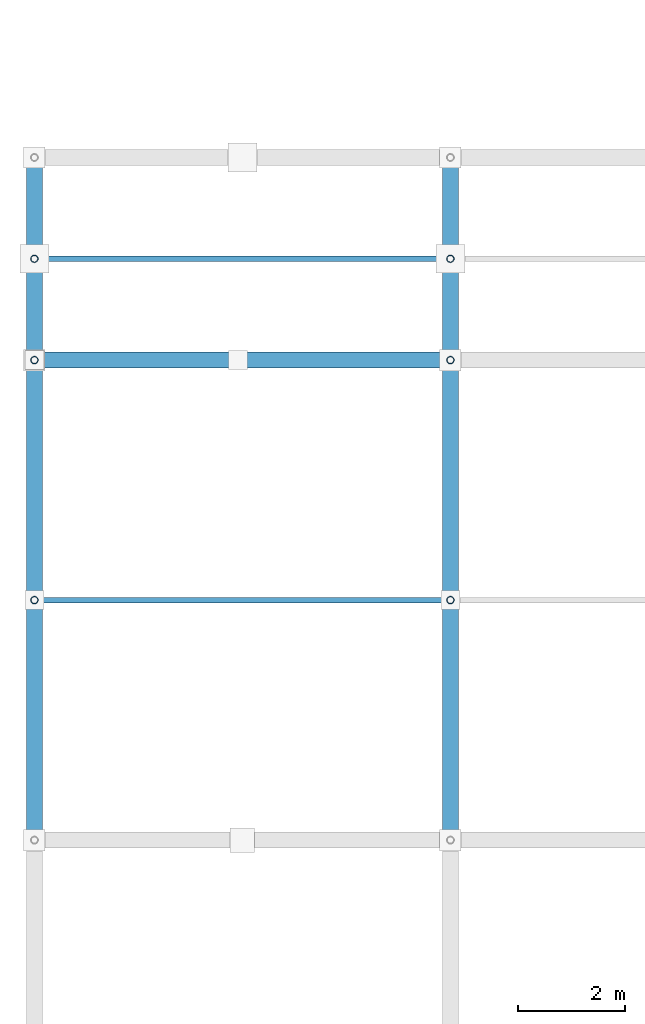
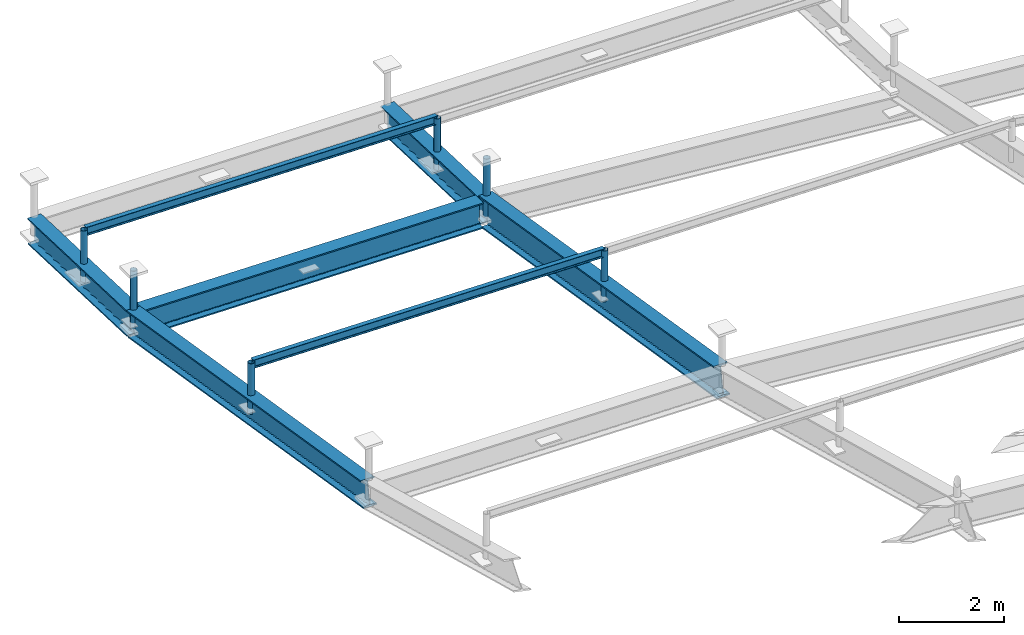
# One storey, part 32 of 80: 8 members, 5 beams.
"""IFC4 building model written with IfcOpenShell, lengths in metres."""

import ifcopenshell
import ifcopenshell.guid

model = None  # the IFC model being written
_history = None  # IfcOwnerHistory: only IFC2X3 demands one
_inside = {}  # id of a spatial element -> (the spatial element, [elements in it])
_under = {}  # id of a project, library or spatial element -> (it, [spatial elements below it])
_declared = {}  # id of a project -> (the project, [libraries it declares])
_typed = {}  # id of a type object -> (the type object, [elements of that type])
_made_of = {}  # id of a material, layer set ... -> (it, [elements and type objects made of it])


def new_model(schema):
    """Start an empty IFC model of exactly this schema.

    Asked for "IFC4X3", IfcOpenShell would pick the latest addendum, in which some entities
    have other attributes; the version numbers below select the first issue.
    IFC2X3 requires an IfcOwnerHistory on every rooted entity: one is made here for all.
    """
    global model, _history
    if schema == "IFC4X3":
        model = ifcopenshell.file(schema_version=(4, 3, 0, 0))
    else:
        model = ifcopenshell.file(schema=schema)
    _inside.clear()
    _under.clear()
    _declared.clear()
    _typed.clear()
    _made_of.clear()
    _history = None
    if model.schema == "IFC2X3":
        org = make("IfcOrganization", Name="unknown")
        user = make(
            "IfcPersonAndOrganization",
            ThePerson=make("IfcPerson", FamilyName="unknown"),
            TheOrganization=org,
        )
        app = make(
            "IfcApplication",
            ApplicationDeveloper=org,
            Version="unknown",
            ApplicationFullName="unknown",
            ApplicationIdentifier="unknown",
        )
        _history = make(
            "IfcOwnerHistory",
            OwningUser=user,
            OwningApplication=app,
            ChangeAction="ADDED",
            CreationDate=0,
        )
    return model


def make(cls, **values):
    """One entity of the class cls with the attributes given. An attribute that is None is left unset."""
    return model.create_entity(
        cls, **{name: value for name, value in values.items() if value is not None}
    )


def rooted(cls, **values):
    """An entity with a GlobalId (a new one), such as an element, a storey or a relation."""
    return make(cls, GlobalId=ifcopenshell.guid.new(), OwnerHistory=_history, **values)


def si_unit(unit_type, name, prefix=None):
    """IfcSIUnit, for example si_unit("LENGTHUNIT", "METRE", prefix="MILLI")."""
    return make("IfcSIUnit", UnitType=unit_type, Prefix=prefix, Name=name)


def assignment(units):
    """IfcUnitAssignment: the units of a project."""
    return None if units is None else make("IfcUnitAssignment", Units=units)


def point(xyz):
    """IfcCartesianPoint."""
    return None if xyz is None else make("IfcCartesianPoint", Coordinates=xyz)


def direction(xyz):
    """IfcDirection."""
    return None if xyz is None else make("IfcDirection", DirectionRatios=xyz)


def frame(location, z_axis=None, x_axis=None):
    """IfcAxis2Placement3D, a coordinate frame: its origin and axes. An axis left out is left unset."""
    return make(
        "IfcAxis2Placement3D",
        Location=point(location),
        Axis=direction(z_axis),
        RefDirection=direction(x_axis),
    )


def frame_2d(location, x_axis=None):
    """IfcAxis2Placement2D, a coordinate frame in the plane: its origin and x axis."""
    return make(
        "IfcAxis2Placement2D", Location=point(location), RefDirection=direction(x_axis)
    )


def origin():
    """The frame at (0, 0, 0) with its axes left unset."""
    return frame((0.0, 0.0, 0.0))


def origin_2d():
    """The frame at (0, 0) in the plane with its x axis left unset."""
    return frame_2d((0.0, 0.0))


def place(relative_to, where):
    """IfcLocalPlacement: puts the frame where relative to a parent placement (None: the world)."""
    return make(
        "IfcLocalPlacement", PlacementRelTo=relative_to, RelativePlacement=where
    )


def context(
    kind, dimensions, precision=None, world=None, true_north=None, identifier=None
):
    """IfcGeometricRepresentationContext, for example the 3D "Model" context."""
    return make(
        "IfcGeometricRepresentationContext",
        ContextIdentifier=identifier,
        ContextType=kind,
        CoordinateSpaceDimension=dimensions,
        Precision=precision,
        WorldCoordinateSystem=world,
        TrueNorth=true_north,
    )


def subcontext(parent, identifier, kind, view, scale=None):
    """IfcGeometricRepresentationSubContext, for example "Body" below "Model"."""
    return make(
        "IfcGeometricRepresentationSubContext",
        ContextIdentifier=identifier,
        ContextType=kind,
        ParentContext=parent,
        TargetScale=scale,
        TargetView=view,
    )


def project(units=None, contexts=None):
    """IfcProject with its units and contexts."""
    return rooted(
        "IfcProject",
        Name="project",
        RepresentationContexts=contexts,
        UnitsInContext=assignment(units),
    )


def spatial(cls, under=None, at=None, **own):
    """A site, building, storey or space (cls), placed at a placement, below another one or the project."""
    s = rooted(cls, ObjectPlacement=at, **own)
    if under is not None:
        _under.setdefault(under.id(), (under, []))[1].append(s)
    return s


def profile(cls, at=None, kind="AREA", **sizes):
    """A parametric profile (cls). Its sizes go by their IFC names, for example OverallWidth=200.0."""
    return make(cls, ProfileType=kind, Position=at, **sizes)


def hollow_circle(**sizes):
    """IfcCircleHollowProfileDef."""
    return profile("IfcCircleHollowProfileDef", **sizes)


def i_section(**sizes):
    """IfcIShapeProfileDef."""
    return profile("IfcIShapeProfileDef", **sizes)


def extrude(swept, where, along, depth):
    """IfcExtrudedAreaSolid: the profile swept, set in the frame where, extruded along a direction by depth."""
    return make(
        "IfcExtrudedAreaSolid",
        SweptArea=swept,
        Position=where,
        ExtrudedDirection=direction(along),
        Depth=depth,
    )


def shape(context_of_items, identifier, shape_type, items):
    """IfcShapeRepresentation: the items that make up one representation, for example the "Body"."""
    return make(
        "IfcShapeRepresentation",
        ContextOfItems=context_of_items,
        RepresentationIdentifier=identifier,
        RepresentationType=shape_type,
        Items=items,
    )


def material(Name=None, Category=None):
    """IfcMaterial."""
    return make("IfcMaterial", Name=Name, Category=Category)


def material_profile(
    of_material, cross_section, Name=None, Category=None, Priority=None
):
    """IfcMaterialProfile: a cross section and its material."""
    return make(
        "IfcMaterialProfile",
        Name=Name,
        Material=of_material,
        Profile=cross_section,
        Priority=Priority,
        Category=Category,
    )


def profile_set(profiles, Name=None, composite=None):
    """IfcMaterialProfileSet."""
    return make(
        "IfcMaterialProfileSet",
        Name=Name,
        MaterialProfiles=profiles,
        CompositeProfile=composite,
    )


def made_of(thing, what):
    """Note that an element or type object is made of a material, layer set ...; save() writes the relation."""
    if what is not None:
        _made_of.setdefault(what.id(), (what, []))[1].append(thing)
    return thing


def type_object(cls, material=None, **own):
    """A type object (cls), such as IfcWallType, which elements share."""
    return made_of(rooted(cls, **own), material)


def element(
    cls,
    number,
    at=None,
    inside=None,
    cuts=None,
    type_object=None,
    material=None,
    context=None,
    identifier="Body",
    shape_type=None,
    held_by="IfcProductDefinitionShape",
    body=None,
    shapes=None,
    **own,
):
    """One element of the class cls, such as IfcWall. Its Tag is "e" and its number.

    at: its placement. inside: the storey or other place that contains it. cuts: it is an
    opening in that element (IfcRelVoidsElement). A single representation is given by context,
    identifier, shape_type and body (its items); several are given by shapes. held_by: the class
    of the entity that holds the representations. save() writes the other relations.
    """
    e = rooted(cls, Tag="e%d" % number, ObjectPlacement=at, **own)
    if body is not None:
        shapes = [shape(context, identifier, shape_type, body)]
    if shapes is not None:
        e.Representation = make(held_by, Representations=shapes)
    if inside is not None:
        _inside.setdefault(inside.id(), (inside, []))[1].append(e)
    if cuts is not None:
        rooted(
            "IfcRelVoidsElement", RelatingBuildingElement=cuts, RelatedOpeningElement=e
        )
    if type_object is not None:
        _typed.setdefault(type_object.id(), (type_object, []))[1].append(e)
    return made_of(e, material)


def aggregate(whole, parts):
    """IfcRelAggregates: a whole, such as a stair, and the parts it consists of."""
    return rooted("IfcRelAggregates", RelatingObject=whole, RelatedObjects=parts)


def save(model, path):
    """Write the relations noted so far, then the file.

    IfcRelAggregates (storeys below a building ...), IfcRelContainedInSpatialStructure (elements
    in a storey), IfcRelDefinesByType, IfcRelAssociatesMaterial and IfcRelDeclares: one each for
    every whole, place, type object, material and project.
    """
    for whole, parts in _under.values():
        aggregate(whole, parts)
    for where, things in _inside.values():
        rooted(
            "IfcRelContainedInSpatialStructure",
            RelatedElements=things,
            RelatingStructure=where,
        )
    for kind, things in _typed.values():
        rooted("IfcRelDefinesByType", RelatedObjects=things, RelatingType=kind)
    for what, things in _made_of.values():
        rooted("IfcRelAssociatesMaterial", RelatedObjects=things, RelatingMaterial=what)
    for by, libraries in _declared.values():
        rooted("IfcRelDeclares", RelatingContext=by, RelatedDefinitions=libraries)
    model.write(path)


model = new_model("IFC4")

# Units and contexts
model_context = context("Model", 3, precision=1e-05, world=origin(), true_north=direction((0.0, 1.0)))
body_context = subcontext(model_context, "Body", "Model", "MODEL_VIEW")
ifc_project = project(units=[si_unit("LENGTHUNIT", "METRE"), si_unit("AREAUNIT", "SQUARE_METRE"), si_unit("VOLUMEUNIT", "CUBIC_METRE"), si_unit("PLANEANGLEUNIT", "RADIAN"), si_unit("MASSUNIT", "GRAM", prefix="KILO")], contexts=[model_context])

# Site, building, storey
site_placement = place(None, origin())
site = spatial("IfcSite", under=ifc_project, at=site_placement, CompositionType="ELEMENT")
building_placement = place(site_placement, origin())
building = spatial("IfcBuilding", under=site, at=building_placement, Name="Barlavento Convention Centre", CompositionType="ELEMENT")
storey_placement = place(building_placement, frame((0.0, 0.0, 29.800048828125)))
storey = spatial("IfcBuildingStorey", under=building, at=storey_placement, Name="RF", CompositionType="ELEMENT", Elevation=29.800048828125)

# Beams
ifc_material_1 = material(Name="Steel S355", Category="steel")
ifc_material_profile_1 = material_profile(ifc_material_1, i_section(OverallWidth=0.300048828125, OverallDepth=0.60009765625, WebThickness=0.015380859375, FlangeThickness=0.030029296875, FilletRadius=0.027099609375, at=origin_2d()), Name="HEB 600")
ifc_profile_set_1 = profile_set([ifc_material_profile_1], Name="Steel S355")
beam_type_1 = type_object("IfcBeamType", Name="STR-BM-CANT-HEB600", PredefinedType="BEAM", material=ifc_profile_set_1)
beam_1_placement = place(storey_placement, frame((-7.794921875, 54.0, -4.6611328125), z_axis=(0.999894962991, 0.0, -0.014493549796), x_axis=(0.0, 1.0, 0.0)))
element("IfcBeam", 1, at=beam_1_placement, inside=storey, type_object=beam_type_1, Name="Congress roof truss space frame chord", PredefinedType="BEAM", context=body_context, shape_type="SweptSolid", body=[
    extrude(i_section(OverallWidth=0.300048828125, OverallDepth=0.60009765625, WebThickness=0.015380859375, FlangeThickness=0.030029296875, FilletRadius=0.027099609375, at=origin_2d()), origin(), (0.0, 0.0, 1.0), 7.630615234375),
])
beam_2_placement = place(storey_placement, frame((0.0, 54.0048828125, -4.774169921875), z_axis=(0.0, 0.999328957614, -0.036628328838), x_axis=(-1.0, 0.0, 0.0)))
element("IfcBeam", 2, at=beam_2_placement, inside=storey, type_object=beam_type_1, Name="Congress roof truss space frame chord", PredefinedType="BEAM", context=body_context, shape_type="SweptSolid", body=[
    extrude(i_section(OverallWidth=0.300048828125, OverallDepth=0.60009765625, WebThickness=0.015380859375, FlangeThickness=0.030029296875, FilletRadius=0.027099609375, at=origin_2d()), origin(), (0.0, 0.0, 1.0), 3.79248046875),
])
beam_3_placement = place(storey_placement, frame((-7.800048828125, 45.0048828125, -3.199951171875), z_axis=(0.0, 0.987048066171, -0.160424795678), x_axis=(-1.0, 0.0, 0.0)))
element("IfcBeam", 3, at=beam_3_placement, inside=storey, type_object=beam_type_1, Name="Congress roof truss space frame chord", PredefinedType="BEAM", context=body_context, shape_type="SweptSolid", body=[
    extrude(i_section(OverallWidth=0.300048828125, OverallDepth=0.60009765625, WebThickness=0.015380859375, FlangeThickness=0.030029296875, FilletRadius=0.027099609375, at=origin_2d()), origin(), (0.0, 0.0, 1.0), 9.108154296875),
])
beam_4_placement = place(storey_placement, frame((-7.800048828125, 54.0048828125, -4.6611328125), z_axis=(0.0, 0.999328957614, -0.036628328838), x_axis=(-1.0, 0.0, 0.0)))
element("IfcBeam", 4, at=beam_4_placement, inside=storey, type_object=beam_type_1, Name="Congress roof truss space frame chord", PredefinedType="BEAM", context=body_context, shape_type="SweptSolid", body=[
    extrude(i_section(OverallWidth=0.300048828125, OverallDepth=0.60009765625, WebThickness=0.015380859375, FlangeThickness=0.030029296875, FilletRadius=0.027099609375, at=origin_2d()), origin(), (0.0, 0.0, 1.0), 3.79248046875),
])
ifc_material_2 = material(Name="Steel S460", Category="steel")
ifc_material_profile_2 = material_profile(ifc_material_2, i_section(OverallWidth=0.300048828125, OverallDepth=0.699951171875, WebThickness=0.01708984375, FlangeThickness=0.031982421875, FilletRadius=0.027099609375, at=origin_2d()), Name="HEB 700")
ifc_profile_set_2 = profile_set([ifc_material_profile_2], Name="Steel S460")
beam_type_2 = type_object("IfcBeamType", Name="STR-BM-TRUSS-TOP-HEB700", PredefinedType="BEAM", material=ifc_profile_set_2)
beam_5_placement = place(storey_placement, frame((0.0, 45.0048828125, -3.313232421875), z_axis=(0.0, 0.987052310252, -0.160398680875), x_axis=(-1.0, 0.0, 0.0)))
element("IfcBeam", 5, at=beam_5_placement, inside=storey, type_object=beam_type_2, Name="Congress roof truss space frame chord", PredefinedType="BEAM", context=body_context, shape_type="SweptSolid", body=[
    extrude(i_section(OverallWidth=0.300048828125, OverallDepth=0.699951171875, WebThickness=0.01708984375, FlangeThickness=0.031982421875, FilletRadius=0.027099609375, at=origin_2d()), origin(), (0.0, 0.0, 1.0), 9.108154296875),
])

# Members
ifc_material_profile_3 = material_profile(ifc_material_1, hollow_circle(Radius=0.06982421875, WallThickness=0.008056640625, at=origin_2d()), Name="CHS 139.7x8.0")
ifc_profile_set_3 = profile_set([ifc_material_profile_3], Name="Steel S355")
member_type_1 = type_object("IfcMemberType", Name="STR-MEM-DIAG-CHS139", PredefinedType="BRACE", material=ifc_profile_set_3)
for number, where, z_axis, x_axis, name in (
    (6, (-7.800048828125, 54.0, -4.81103515625), (0.0, 0.0, 1.0), (1.0, 0.0, 0.0), "Congress space frame vertical node post TD04"),
    (7, (0.0, 54.0, -4.924072265625), (0.0, 0.0, 1.0), (1.0, 0.0, 0.0), "Congress space frame vertical node post TD04"),
):
    element("IfcMember", number, at=place(storey_placement, frame(where, z_axis=z_axis, x_axis=x_axis)), inside=storey, type_object=member_type_1, Name=name, PredefinedType="BRACE", context=body_context, shape_type="SweptSolid", body=[
        extrude(hollow_circle(Radius=0.06982421875, WallThickness=0.008056640625, at=origin_2d()), origin(), (0.0, 0.0, 1.0), 1.369873046875),
    ])
member_1_placement = place(storey_placement, frame((-7.800048828125, 49.5, -4.050537109375), z_axis=(0.0, 0.0, 1.0), x_axis=(1.0, 0.0, 0.0)))
element("IfcMember", 8, at=member_1_placement, inside=storey, type_object=member_type_1, Name="Congress space frame vertical node post TD04", PredefinedType="BRACE", context=body_context, shape_type="SweptSolid", body=[
    extrude(hollow_circle(Radius=0.06982421875, WallThickness=0.008056640625, at=origin_2d()), origin(), (0.0, 0.0, 1.0), 1.17919921875),
])
member_2_placement = place(storey_placement, frame((-7.800048828125, 55.89990234375, -4.8505859375), z_axis=(0.0, 0.0, 1.0), x_axis=(1.0, 0.0, 0.0)))
element("IfcMember", 9, at=member_2_placement, inside=storey, type_object=member_type_1, Name="Congress space frame vertical node post TD04", PredefinedType="BRACE", context=body_context, shape_type="SweptSolid", body=[
    extrude(hollow_circle(Radius=0.06982421875, WallThickness=0.008056640625, at=origin_2d()), origin(), (0.0, 0.0, 1.0), 1.196044921875),
])
member_3_placement = place(storey_placement, frame((0.0, 49.5, -4.16357421875), z_axis=(0.0, 0.0, 1.0), x_axis=(1.0, 0.0, 0.0)))
element("IfcMember", 10, at=member_3_placement, inside=storey, type_object=member_type_1, Name="Congress space frame vertical node post TD04", PredefinedType="BRACE", context=body_context, shape_type="SweptSolid", body=[
    extrude(hollow_circle(Radius=0.06982421875, WallThickness=0.008056640625, at=origin_2d()), origin(), (0.0, 0.0, 1.0), 1.1943359375),
])
member_4_placement = place(storey_placement, frame((0.0, 55.89990234375, -4.963623046875), z_axis=(0.0, 0.0, 1.0), x_axis=(1.0, 0.0, 0.0)))
element("IfcMember", 11, at=member_4_placement, inside=storey, type_object=member_type_1, Name="Congress space frame vertical node post TD04", PredefinedType="BRACE", context=body_context, shape_type="SweptSolid", body=[
    extrude(hollow_circle(Radius=0.06982421875, WallThickness=0.008056640625, at=origin_2d()), origin(), (0.0, 0.0, 1.0), 1.19677734375),
])
ifc_material_profile_4 = material_profile(ifc_material_1, i_section(OverallWidth=0.10009765625, OverallDepth=0.199951171875, WebThickness=0.005615234375, FlangeThickness=0.008544921875, FilletRadius=0.011962890625, at=origin_2d()), Name="IPE 200")
ifc_profile_set_4 = profile_set([ifc_material_profile_4], Name="Steel S355")
member_type_2 = type_object("IfcMemberType", Name="STR-MEM-PUR-IPE200", PredefinedType="PURLIN", material=ifc_profile_set_4)
for number, where, z_axis, x_axis, name in (
    (12, (-7.780029296875, 49.5, -2.9111328125), (0.999896202019, 0.0, -0.014407816911), (0.0, 1.0, 0.0), "Congress roof intermediate purlin PR01"),
    (13, (-7.780029296875, 55.89990234375, -3.6943359375), (0.99989529365, 0.0, -0.014470719996), (0.0, 1.0, 0.0), "Congress roof intermediate purlin PR01"),
):
    element("IfcMember", number, at=place(storey_placement, frame(where, z_axis=z_axis, x_axis=x_axis)), inside=storey, type_object=member_type_2, Name=name, PredefinedType="PURLIN", context=body_context, shape_type="SweptSolid", body=[
        extrude(i_section(OverallWidth=0.10009765625, OverallDepth=0.199951171875, WebThickness=0.005615234375, FlangeThickness=0.008544921875, FilletRadius=0.011962890625, at=origin_2d()), origin(), (0.0, 0.0, 1.0), 7.7607421875),
    ])

save(model, "model.ifc")
